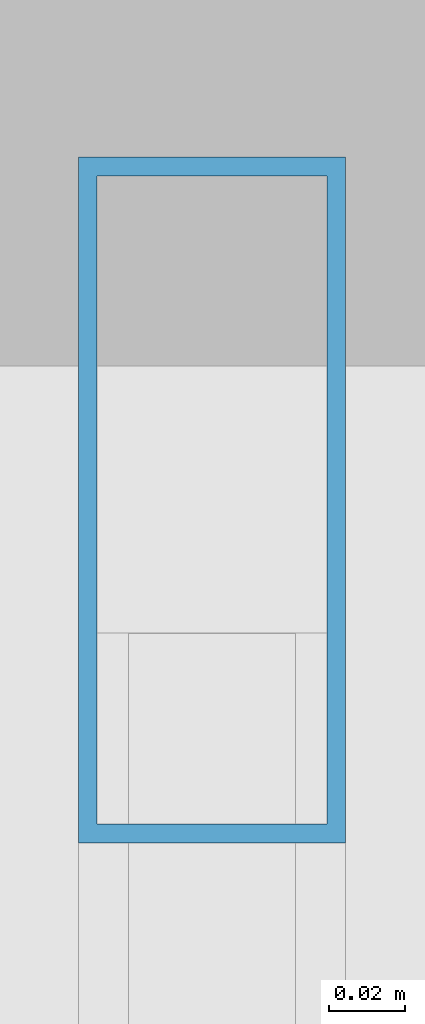
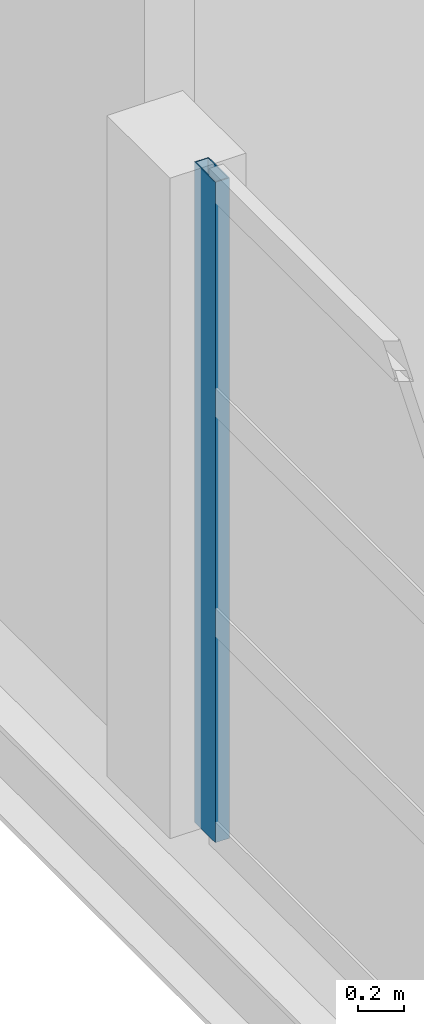
# One storey, part 34 of 147: 1 member, 1 element without a shape of its own.
"""IFC4 building model written with IfcOpenShell, lengths in metres."""

import ifcopenshell
import ifcopenshell.guid

model = None  # the IFC model being written
_history = None  # IfcOwnerHistory: only IFC2X3 demands one
_inside = {}  # id of a spatial element -> (the spatial element, [elements in it])
_under = {}  # id of a project, library or spatial element -> (it, [spatial elements below it])
_declared = {}  # id of a project -> (the project, [libraries it declares])
_typed = {}  # id of a type object -> (the type object, [elements of that type])
_made_of = {}  # id of a material, layer set ... -> (it, [elements and type objects made of it])


def new_model(schema):
    """Start an empty IFC model of exactly this schema.

    Asked for "IFC4X3", IfcOpenShell would pick the latest addendum, in which some entities
    have other attributes; the version numbers below select the first issue.
    IFC2X3 requires an IfcOwnerHistory on every rooted entity: one is made here for all.
    """
    global model, _history
    if schema == "IFC4X3":
        model = ifcopenshell.file(schema_version=(4, 3, 0, 0))
    else:
        model = ifcopenshell.file(schema=schema)
    _inside.clear()
    _under.clear()
    _declared.clear()
    _typed.clear()
    _made_of.clear()
    _history = None
    if model.schema == "IFC2X3":
        org = make("IfcOrganization", Name="unknown")
        user = make(
            "IfcPersonAndOrganization",
            ThePerson=make("IfcPerson", FamilyName="unknown"),
            TheOrganization=org,
        )
        app = make(
            "IfcApplication",
            ApplicationDeveloper=org,
            Version="unknown",
            ApplicationFullName="unknown",
            ApplicationIdentifier="unknown",
        )
        _history = make(
            "IfcOwnerHistory",
            OwningUser=user,
            OwningApplication=app,
            ChangeAction="ADDED",
            CreationDate=0,
        )
    return model


def make(cls, **values):
    """One entity of the class cls with the attributes given. An attribute that is None is left unset."""
    return model.create_entity(
        cls, **{name: value for name, value in values.items() if value is not None}
    )


def rooted(cls, **values):
    """An entity with a GlobalId (a new one), such as an element, a storey or a relation."""
    return make(cls, GlobalId=ifcopenshell.guid.new(), OwnerHistory=_history, **values)


def si_unit(unit_type, name, prefix=None):
    """IfcSIUnit, for example si_unit("LENGTHUNIT", "METRE", prefix="MILLI")."""
    return make("IfcSIUnit", UnitType=unit_type, Prefix=prefix, Name=name)


def assignment(units):
    """IfcUnitAssignment: the units of a project."""
    return None if units is None else make("IfcUnitAssignment", Units=units)


def point(xyz):
    """IfcCartesianPoint."""
    return None if xyz is None else make("IfcCartesianPoint", Coordinates=xyz)


def direction(xyz):
    """IfcDirection."""
    return None if xyz is None else make("IfcDirection", DirectionRatios=xyz)


def frame(location, z_axis=None, x_axis=None):
    """IfcAxis2Placement3D, a coordinate frame: its origin and axes. An axis left out is left unset."""
    return make(
        "IfcAxis2Placement3D",
        Location=point(location),
        Axis=direction(z_axis),
        RefDirection=direction(x_axis),
    )


def frame_2d(location, x_axis=None):
    """IfcAxis2Placement2D, a coordinate frame in the plane: its origin and x axis."""
    return make(
        "IfcAxis2Placement2D", Location=point(location), RefDirection=direction(x_axis)
    )


def origin():
    """The frame at (0, 0, 0) with its axes left unset."""
    return frame((0.0, 0.0, 0.0))


def origin_2d():
    """The frame at (0, 0) in the plane with its x axis left unset."""
    return frame_2d((0.0, 0.0))


def place(relative_to, where):
    """IfcLocalPlacement: puts the frame where relative to a parent placement (None: the world)."""
    return make(
        "IfcLocalPlacement", PlacementRelTo=relative_to, RelativePlacement=where
    )


def context(
    kind, dimensions, precision=None, world=None, true_north=None, identifier=None
):
    """IfcGeometricRepresentationContext, for example the 3D "Model" context."""
    return make(
        "IfcGeometricRepresentationContext",
        ContextIdentifier=identifier,
        ContextType=kind,
        CoordinateSpaceDimension=dimensions,
        Precision=precision,
        WorldCoordinateSystem=world,
        TrueNorth=true_north,
    )


def subcontext(parent, identifier, kind, view, scale=None):
    """IfcGeometricRepresentationSubContext, for example "Body" below "Model"."""
    return make(
        "IfcGeometricRepresentationSubContext",
        ContextIdentifier=identifier,
        ContextType=kind,
        ParentContext=parent,
        TargetScale=scale,
        TargetView=view,
    )


def project(units=None, contexts=None):
    """IfcProject with its units and contexts."""
    return rooted(
        "IfcProject",
        Name="project",
        RepresentationContexts=contexts,
        UnitsInContext=assignment(units),
    )


def spatial(cls, under=None, at=None, **own):
    """A site, building, storey or space (cls), placed at a placement, below another one or the project."""
    s = rooted(cls, ObjectPlacement=at, **own)
    if under is not None:
        _under.setdefault(under.id(), (under, []))[1].append(s)
    return s


def profile(cls, at=None, kind="AREA", **sizes):
    """A parametric profile (cls). Its sizes go by their IFC names, for example OverallWidth=200.0."""
    return make(cls, ProfileType=kind, Position=at, **sizes)


def hollow_rectangle(**sizes):
    """IfcRectangleHollowProfileDef."""
    return profile("IfcRectangleHollowProfileDef", **sizes)


def extrude(swept, where, along, depth):
    """IfcExtrudedAreaSolid: the profile swept, set in the frame where, extruded along a direction by depth."""
    return make(
        "IfcExtrudedAreaSolid",
        SweptArea=swept,
        Position=where,
        ExtrudedDirection=direction(along),
        Depth=depth,
    )


def shape(context_of_items, identifier, shape_type, items):
    """IfcShapeRepresentation: the items that make up one representation, for example the "Body"."""
    return make(
        "IfcShapeRepresentation",
        ContextOfItems=context_of_items,
        RepresentationIdentifier=identifier,
        RepresentationType=shape_type,
        Items=items,
    )


def material(Name=None, Category=None):
    """IfcMaterial."""
    return make("IfcMaterial", Name=Name, Category=Category)


def layer(
    of_material, thickness, ventilated=None, Name=None, Category=None, Priority=None
):
    """IfcMaterialLayer: one layer of a wall or slab, of a material (None: an air gap)."""
    return make(
        "IfcMaterialLayer",
        Material=of_material,
        LayerThickness=thickness,
        IsVentilated=ventilated,
        Name=Name,
        Category=Category,
        Priority=Priority,
    )


def layer_set(layers, Name=None):
    """IfcMaterialLayerSet."""
    return make("IfcMaterialLayerSet", MaterialLayers=layers, LayerSetName=Name)


def material_profile(
    of_material, cross_section, Name=None, Category=None, Priority=None
):
    """IfcMaterialProfile: a cross section and its material."""
    return make(
        "IfcMaterialProfile",
        Name=Name,
        Material=of_material,
        Profile=cross_section,
        Priority=Priority,
        Category=Category,
    )


def profile_set(profiles, Name=None, composite=None):
    """IfcMaterialProfileSet."""
    return make(
        "IfcMaterialProfileSet",
        Name=Name,
        MaterialProfiles=profiles,
        CompositeProfile=composite,
    )


def made_of(thing, what):
    """Note that an element or type object is made of a material, layer set ...; save() writes the relation."""
    if what is not None:
        _made_of.setdefault(what.id(), (what, []))[1].append(thing)
    return thing


def type_object(cls, material=None, **own):
    """A type object (cls), such as IfcWallType, which elements share."""
    return made_of(rooted(cls, **own), material)


def element(
    cls,
    number,
    at=None,
    inside=None,
    cuts=None,
    type_object=None,
    material=None,
    context=None,
    identifier="Body",
    shape_type=None,
    held_by="IfcProductDefinitionShape",
    body=None,
    shapes=None,
    **own,
):
    """One element of the class cls, such as IfcWall. Its Tag is "e" and its number.

    at: its placement. inside: the storey or other place that contains it. cuts: it is an
    opening in that element (IfcRelVoidsElement). A single representation is given by context,
    identifier, shape_type and body (its items); several are given by shapes. held_by: the class
    of the entity that holds the representations. save() writes the other relations.
    """
    e = rooted(cls, Tag="e%d" % number, ObjectPlacement=at, **own)
    if body is not None:
        shapes = [shape(context, identifier, shape_type, body)]
    if shapes is not None:
        e.Representation = make(held_by, Representations=shapes)
    if inside is not None:
        _inside.setdefault(inside.id(), (inside, []))[1].append(e)
    if cuts is not None:
        rooted(
            "IfcRelVoidsElement", RelatingBuildingElement=cuts, RelatedOpeningElement=e
        )
    if type_object is not None:
        _typed.setdefault(type_object.id(), (type_object, []))[1].append(e)
    return made_of(e, material)


def aggregate(whole, parts):
    """IfcRelAggregates: a whole, such as a stair, and the parts it consists of."""
    return rooted("IfcRelAggregates", RelatingObject=whole, RelatedObjects=parts)


def save(model, path):
    """Write the relations noted so far, then the file.

    IfcRelAggregates (storeys below a building ...), IfcRelContainedInSpatialStructure (elements
    in a storey), IfcRelDefinesByType, IfcRelAssociatesMaterial and IfcRelDeclares: one each for
    every whole, place, type object, material and project.
    """
    for whole, parts in _under.values():
        aggregate(whole, parts)
    for where, things in _inside.values():
        rooted(
            "IfcRelContainedInSpatialStructure",
            RelatedElements=things,
            RelatingStructure=where,
        )
    for kind, things in _typed.values():
        rooted("IfcRelDefinesByType", RelatedObjects=things, RelatingType=kind)
    for what, things in _made_of.values():
        rooted("IfcRelAssociatesMaterial", RelatedObjects=things, RelatingMaterial=what)
    for by, libraries in _declared.values():
        rooted("IfcRelDeclares", RelatingContext=by, RelatedDefinitions=libraries)
    model.write(path)


model = new_model("IFC4")

# Units and contexts
model_context = context("Model", 3, precision=1e-05, world=origin(), true_north=direction((0.0, 1.0)))
body_context = subcontext(model_context, "Body", "Model", "MODEL_VIEW")
ifc_project = project(units=[si_unit("LENGTHUNIT", "METRE"), si_unit("AREAUNIT", "SQUARE_METRE"), si_unit("VOLUMEUNIT", "CUBIC_METRE"), si_unit("PLANEANGLEUNIT", "RADIAN"), si_unit("MASSUNIT", "GRAM", prefix="KILO")], contexts=[model_context])

# Site, building, storey
site_placement = place(None, origin())
site = spatial("IfcSite", under=ifc_project, at=site_placement, CompositionType="ELEMENT")
building_placement = place(site_placement, origin())
building = spatial("IfcBuilding", under=site, at=building_placement, Name="Zilviju Railside Exhibition Hall", CompositionType="ELEMENT")
storey_placement = place(building_placement, frame((0.0, 0.0, 8.39990234375)))
storey = spatial("IfcBuildingStorey", under=building, at=storey_placement, Name="L03", CompositionType="ELEMENT", Elevation=8.39990234375)

# Curtain wall, member
ifc_material_1 = material(Name="Thermally broken aluminium-steel triple-glazed curtain wall", Category="steel")
ifc_layer = layer(ifc_material_1, 0.179931640625)
ifc_layer_set = layer_set([ifc_layer], Name="Thermally broken aluminium-steel triple-glazed curtain wall")
curtain_wall_type = type_object("IfcCurtainWallType", Name="CW-BAY-03", PredefinedType="USERDEFINED", material=ifc_layer_set)
curtain_wall_placement = place(storey_placement, origin())
curtain_wall = element("IfcCurtainWall", 1, at=curtain_wall_placement, inside=storey, type_object=curtain_wall_type, Name="Congress Crush Foyer Boulevard Curtain Wall L03 (48..58)", ObjectType="GLAZED CURTAIN WALL", PredefinedType="USERDEFINED")
ifc_material_2 = material(Name="Thermally broken anodized aluminium mullion", Category="aluminium")
ifc_material_profile = material_profile(ifc_material_2, hollow_rectangle(XDim=0.070068359375, YDim=0.179931640625, WallThickness=0.0048828125, at=origin_2d()), Name="MULLION 180x70x5")
ifc_profile_set = profile_set([ifc_material_profile], Name="Thermally broken anodized aluminium mullion")
member_type = type_object("IfcMemberType", Name="CWM-70x180", PredefinedType="MULLION", material=ifc_profile_set)
member_placement = place(storey_placement, frame((0.0, 57.81494140625, 0.0), z_axis=(0.0, 0.0, 1.0), x_axis=(-1.0, 0.0, 0.0)))
member = element("IfcMember", 2, at=member_placement, type_object=member_type, Name="CW-03 mullion 5", PredefinedType="MULLION", context=body_context, shape_type="SweptSolid", body=[
    extrude(hollow_rectangle(XDim=0.070068359375, YDim=0.179931640625, WallThickness=0.0048828125, at=origin_2d()), origin(), (0.0, 0.0, 1.0), 3.5),
])
aggregate(curtain_wall, [member])

save(model, "model.ifc")
